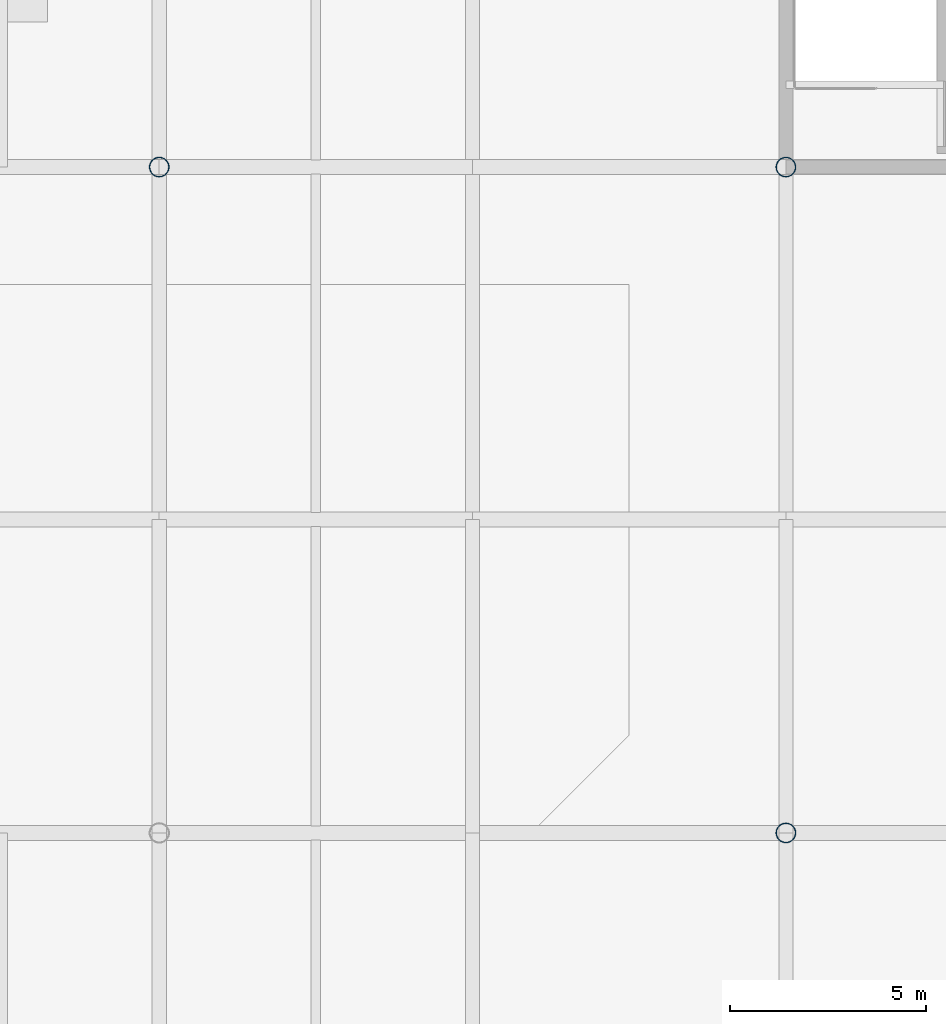
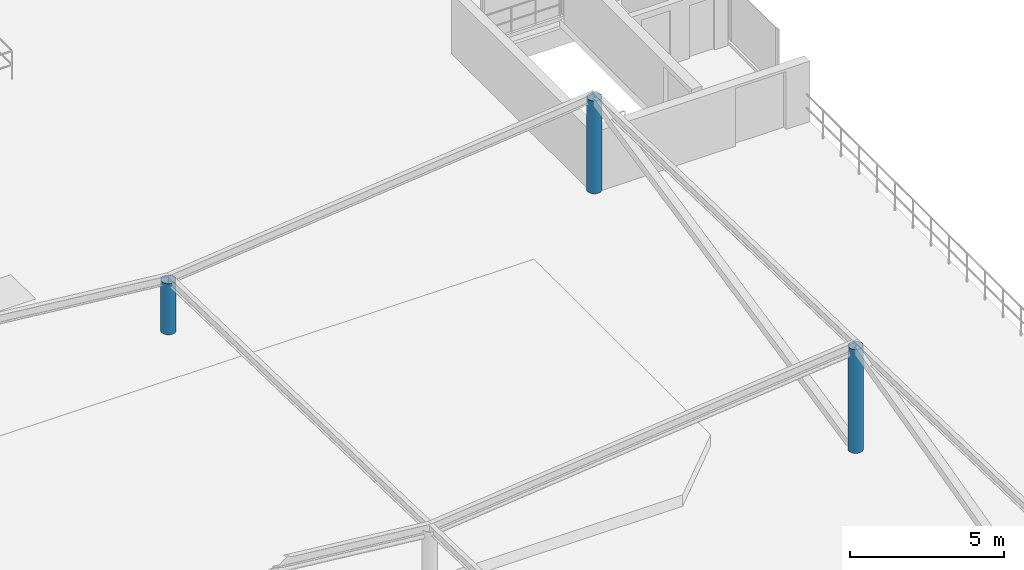
# One storey, part 6 of 52: 3 columns.
"""IFC4 building model written with IfcOpenShell, lengths in metres."""

import ifcopenshell
import ifcopenshell.guid

model = None  # the IFC model being written
_history = None  # IfcOwnerHistory: only IFC2X3 demands one
_inside = {}  # id of a spatial element -> (the spatial element, [elements in it])
_under = {}  # id of a project, library or spatial element -> (it, [spatial elements below it])
_declared = {}  # id of a project -> (the project, [libraries it declares])
_typed = {}  # id of a type object -> (the type object, [elements of that type])
_made_of = {}  # id of a material, layer set ... -> (it, [elements and type objects made of it])


def new_model(schema):
    """Start an empty IFC model of exactly this schema.

    Asked for "IFC4X3", IfcOpenShell would pick the latest addendum, in which some entities
    have other attributes; the version numbers below select the first issue.
    IFC2X3 requires an IfcOwnerHistory on every rooted entity: one is made here for all.
    """
    global model, _history
    if schema == "IFC4X3":
        model = ifcopenshell.file(schema_version=(4, 3, 0, 0))
    else:
        model = ifcopenshell.file(schema=schema)
    _inside.clear()
    _under.clear()
    _declared.clear()
    _typed.clear()
    _made_of.clear()
    _history = None
    if model.schema == "IFC2X3":
        org = make("IfcOrganization", Name="unknown")
        user = make(
            "IfcPersonAndOrganization",
            ThePerson=make("IfcPerson", FamilyName="unknown"),
            TheOrganization=org,
        )
        app = make(
            "IfcApplication",
            ApplicationDeveloper=org,
            Version="unknown",
            ApplicationFullName="unknown",
            ApplicationIdentifier="unknown",
        )
        _history = make(
            "IfcOwnerHistory",
            OwningUser=user,
            OwningApplication=app,
            ChangeAction="ADDED",
            CreationDate=0,
        )
    return model


def make(cls, **values):
    """One entity of the class cls with the attributes given. An attribute that is None is left unset."""
    return model.create_entity(
        cls, **{name: value for name, value in values.items() if value is not None}
    )


def rooted(cls, **values):
    """An entity with a GlobalId (a new one), such as an element, a storey or a relation."""
    return make(cls, GlobalId=ifcopenshell.guid.new(), OwnerHistory=_history, **values)


def si_unit(unit_type, name, prefix=None):
    """IfcSIUnit, for example si_unit("LENGTHUNIT", "METRE", prefix="MILLI")."""
    return make("IfcSIUnit", UnitType=unit_type, Prefix=prefix, Name=name)


def derived_unit(unit_type, elements):
    """IfcDerivedUnit: a product of units, each with its exponent."""
    return make(
        "IfcDerivedUnit",
        Elements=[
            make("IfcDerivedUnitElement", Unit=unit, Exponent=power)
            for unit, power in elements
        ],
        UnitType=unit_type,
    )


def assignment(units):
    """IfcUnitAssignment: the units of a project."""
    return None if units is None else make("IfcUnitAssignment", Units=units)


def point(xyz):
    """IfcCartesianPoint."""
    return None if xyz is None else make("IfcCartesianPoint", Coordinates=xyz)


def direction(xyz):
    """IfcDirection."""
    return None if xyz is None else make("IfcDirection", DirectionRatios=xyz)


def frame(location, z_axis=None, x_axis=None):
    """IfcAxis2Placement3D, a coordinate frame: its origin and axes. An axis left out is left unset."""
    return make(
        "IfcAxis2Placement3D",
        Location=point(location),
        Axis=direction(z_axis),
        RefDirection=direction(x_axis),
    )


def frame_2d(location, x_axis=None):
    """IfcAxis2Placement2D, a coordinate frame in the plane: its origin and x axis."""
    return make(
        "IfcAxis2Placement2D", Location=point(location), RefDirection=direction(x_axis)
    )


def origin():
    """The frame at (0, 0, 0) with its axes left unset."""
    return frame((0.0, 0.0, 0.0))


def origin_2d():
    """The frame at (0, 0) in the plane with its x axis left unset."""
    return frame_2d((0.0, 0.0))


def place(relative_to, where):
    """IfcLocalPlacement: puts the frame where relative to a parent placement (None: the world)."""
    return make(
        "IfcLocalPlacement", PlacementRelTo=relative_to, RelativePlacement=where
    )


def context(
    kind, dimensions, precision=None, world=None, true_north=None, identifier=None
):
    """IfcGeometricRepresentationContext, for example the 3D "Model" context."""
    return make(
        "IfcGeometricRepresentationContext",
        ContextIdentifier=identifier,
        ContextType=kind,
        CoordinateSpaceDimension=dimensions,
        Precision=precision,
        WorldCoordinateSystem=world,
        TrueNorth=true_north,
    )


def subcontext(parent, identifier, kind, view, scale=None):
    """IfcGeometricRepresentationSubContext, for example "Body" below "Model"."""
    return make(
        "IfcGeometricRepresentationSubContext",
        ContextIdentifier=identifier,
        ContextType=kind,
        ParentContext=parent,
        TargetScale=scale,
        TargetView=view,
    )


def project(units=None, contexts=None):
    """IfcProject with its units and contexts."""
    return rooted(
        "IfcProject",
        Name="project",
        RepresentationContexts=contexts,
        UnitsInContext=assignment(units),
    )


def spatial(cls, under=None, at=None, **own):
    """A site, building, storey or space (cls), placed at a placement, below another one or the project."""
    s = rooted(cls, ObjectPlacement=at, **own)
    if under is not None:
        _under.setdefault(under.id(), (under, []))[1].append(s)
    return s


def profile(cls, at=None, kind="AREA", **sizes):
    """A parametric profile (cls). Its sizes go by their IFC names, for example OverallWidth=200.0."""
    return make(cls, ProfileType=kind, Position=at, **sizes)


def hollow_circle(**sizes):
    """IfcCircleHollowProfileDef."""
    return profile("IfcCircleHollowProfileDef", **sizes)


def extrude(swept, where, along, depth):
    """IfcExtrudedAreaSolid: the profile swept, set in the frame where, extruded along a direction by depth."""
    return make(
        "IfcExtrudedAreaSolid",
        SweptArea=swept,
        Position=where,
        ExtrudedDirection=direction(along),
        Depth=depth,
    )


def shape(context_of_items, identifier, shape_type, items):
    """IfcShapeRepresentation: the items that make up one representation, for example the "Body"."""
    return make(
        "IfcShapeRepresentation",
        ContextOfItems=context_of_items,
        RepresentationIdentifier=identifier,
        RepresentationType=shape_type,
        Items=items,
    )


def material(Name=None, Category=None):
    """IfcMaterial."""
    return make("IfcMaterial", Name=Name, Category=Category)


def material_profile(
    of_material, cross_section, Name=None, Category=None, Priority=None
):
    """IfcMaterialProfile: a cross section and its material."""
    return make(
        "IfcMaterialProfile",
        Name=Name,
        Material=of_material,
        Profile=cross_section,
        Priority=Priority,
        Category=Category,
    )


def profile_set(profiles, Name=None, composite=None):
    """IfcMaterialProfileSet."""
    return make(
        "IfcMaterialProfileSet",
        Name=Name,
        MaterialProfiles=profiles,
        CompositeProfile=composite,
    )


def made_of(thing, what):
    """Note that an element or type object is made of a material, layer set ...; save() writes the relation."""
    if what is not None:
        _made_of.setdefault(what.id(), (what, []))[1].append(thing)
    return thing


def type_object(cls, material=None, **own):
    """A type object (cls), such as IfcWallType, which elements share."""
    return made_of(rooted(cls, **own), material)


def element(
    cls,
    number,
    at=None,
    inside=None,
    cuts=None,
    type_object=None,
    material=None,
    context=None,
    identifier="Body",
    shape_type=None,
    held_by="IfcProductDefinitionShape",
    body=None,
    shapes=None,
    **own,
):
    """One element of the class cls, such as IfcWall. Its Tag is "e" and its number.

    at: its placement. inside: the storey or other place that contains it. cuts: it is an
    opening in that element (IfcRelVoidsElement). A single representation is given by context,
    identifier, shape_type and body (its items); several are given by shapes. held_by: the class
    of the entity that holds the representations. save() writes the other relations.
    """
    e = rooted(cls, Tag="e%d" % number, ObjectPlacement=at, **own)
    if body is not None:
        shapes = [shape(context, identifier, shape_type, body)]
    if shapes is not None:
        e.Representation = make(held_by, Representations=shapes)
    if inside is not None:
        _inside.setdefault(inside.id(), (inside, []))[1].append(e)
    if cuts is not None:
        rooted(
            "IfcRelVoidsElement", RelatingBuildingElement=cuts, RelatedOpeningElement=e
        )
    if type_object is not None:
        _typed.setdefault(type_object.id(), (type_object, []))[1].append(e)
    return made_of(e, material)


def aggregate(whole, parts):
    """IfcRelAggregates: a whole, such as a stair, and the parts it consists of."""
    return rooted("IfcRelAggregates", RelatingObject=whole, RelatedObjects=parts)


def save(model, path):
    """Write the relations noted so far, then the file.

    IfcRelAggregates (storeys below a building ...), IfcRelContainedInSpatialStructure (elements
    in a storey), IfcRelDefinesByType, IfcRelAssociatesMaterial and IfcRelDeclares: one each for
    every whole, place, type object, material and project.
    """
    for whole, parts in _under.values():
        aggregate(whole, parts)
    for where, things in _inside.values():
        rooted(
            "IfcRelContainedInSpatialStructure",
            RelatedElements=things,
            RelatingStructure=where,
        )
    for kind, things in _typed.values():
        rooted("IfcRelDefinesByType", RelatedObjects=things, RelatingType=kind)
    for what, things in _made_of.values():
        rooted("IfcRelAssociatesMaterial", RelatedObjects=things, RelatingMaterial=what)
    for by, libraries in _declared.values():
        rooted("IfcRelDeclares", RelatingContext=by, RelatedDefinitions=libraries)
    model.write(path)


model = new_model("IFC4")

# Units and contexts
model_context = context("Model", 3, precision=1e-05, world=origin(), true_north=direction((0.0, 1.0)))
body_context = subcontext(model_context, "Body", "Model", "MODEL_VIEW")
ifc_project = project(units=[si_unit("LENGTHUNIT", "METRE"), si_unit("AREAUNIT", "SQUARE_METRE"), si_unit("VOLUMEUNIT", "CUBIC_METRE"), si_unit("PLANEANGLEUNIT", "RADIAN"), si_unit("MASSUNIT", "GRAM", prefix="KILO"), si_unit("THERMODYNAMICTEMPERATUREUNIT", "KELVIN"), derived_unit("THERMALTRANSMITTANCEUNIT", [(si_unit("POWERUNIT", "WATT"), 1), (si_unit("AREAUNIT", "SQUARE_METRE"), -1), (si_unit("THERMODYNAMICTEMPERATUREUNIT", "KELVIN"), -1)])], contexts=[model_context])

# Site, building, storey
site_placement = place(None, origin())
site = spatial("IfcSite", under=ifc_project, at=site_placement, CompositionType="ELEMENT")
building_placement = place(site_placement, origin())
building = spatial("IfcBuilding", under=site, at=building_placement, Name="Haiyu Intermodal Mobility Hub", CompositionType="ELEMENT")
storey_placement = place(building_placement, frame((0.0, 0.0, 21.199951171875)))
storey = spatial("IfcBuildingStorey", under=building, at=storey_placement, Name="L05", CompositionType="ELEMENT", Elevation=21.199951171875)

# Columns
ifc_material = material(Name="Steel Q355C", Category="steel")
ifc_material_profile = material_profile(ifc_material, hollow_circle(Radius=0.25390625, WallThickness=0.01611328125, at=origin_2d()), Name="CHS508x16")
ifc_profile_set = profile_set([ifc_material_profile], Name="Steel Q355C")
column_type = type_object("IfcColumnType", Name="COL-SC02-EXT", PredefinedType="COLUMN", material=ifc_profile_set)
column_1_placement = place(storey_placement, frame((186.0, 113.0, 0.0), z_axis=(0.0, 0.0, 1.0), x_axis=(1.0, 0.0, 0.0)))
element("IfcColumn", 1, at=column_1_placement, inside=storey, type_object=column_type, Name="COL-V6F-186-113", PredefinedType="COLUMN", context=body_context, shape_type="SweptSolid", body=[
    extrude(hollow_circle(Radius=0.25390625, WallThickness=0.01611328125, at=origin_2d()), origin(), (0.0, 0.0, 1.0), 2.030029296875),
])
column_2_placement = place(storey_placement, frame((202.0, 96.0, 0.0), z_axis=(0.0, 0.0, 1.0), x_axis=(1.0, 0.0, 0.0)))
element("IfcColumn", 2, at=column_2_placement, inside=storey, type_object=column_type, Name="COL-V6F-202-96", PredefinedType="COLUMN", context=body_context, shape_type="SweptSolid", body=[
    extrude(hollow_circle(Radius=0.25390625, WallThickness=0.01611328125, at=origin_2d()), origin(), (0.0, 0.0, 1.0), 4.1181640625),
])
column_3_placement = place(storey_placement, frame((202.0, 113.0, 0.0), z_axis=(0.0, 0.0, 1.0), x_axis=(1.0, 0.0, 0.0)))
element("IfcColumn", 3, at=column_3_placement, inside=storey, type_object=column_type, Name="COL-V6F-202-113", PredefinedType="COLUMN", context=body_context, shape_type="SweptSolid", body=[
    extrude(hollow_circle(Radius=0.25390625, WallThickness=0.01611328125, at=origin_2d()), origin(), (0.0, 0.0, 1.0), 3.679931640625),
])

save(model, "model.ifc")
